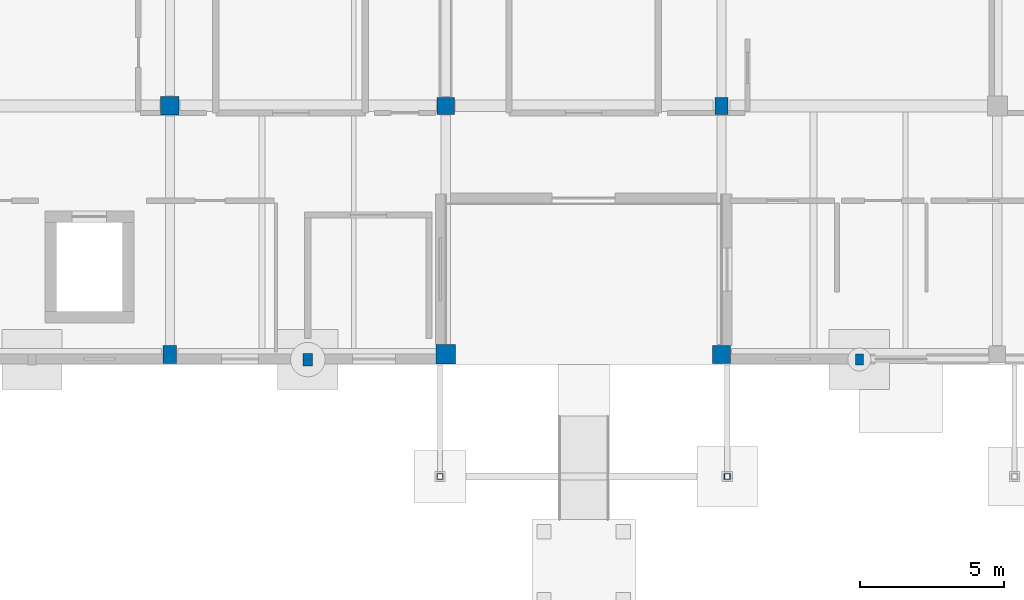
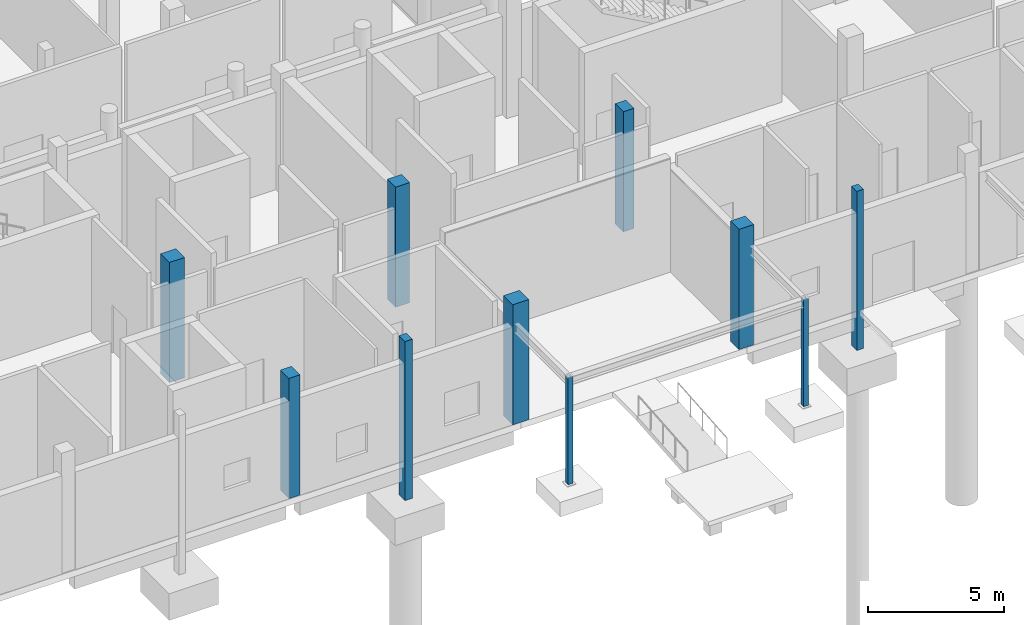
# One storey, part 7 of 88: 10 columns.
"""IFC4 building model written with IfcOpenShell, lengths in metres."""

from ifc_helpers import new_model, si_unit, direction, frame, origin, origin_2d, place, context, subcontext, project, spatial, rectangle, hollow_rectangle, extrude, material, material_profile, profile_set, type_object, element, save


model = new_model("IFC4")

# Units and contexts
model_context = context("Model", 3, precision=1e-05, world=origin(), true_north=direction((0.0, 1.0)))
body_context = subcontext(model_context, "Body", "Model", "MODEL_VIEW")
ifc_project = project(units=[si_unit("LENGTHUNIT", "METRE"), si_unit("AREAUNIT", "SQUARE_METRE"), si_unit("VOLUMEUNIT", "CUBIC_METRE"), si_unit("PLANEANGLEUNIT", "RADIAN"), si_unit("MASSUNIT", "GRAM", prefix="KILO")], contexts=[model_context])

# Site, building, storey
site_placement = place(None, origin())
site = spatial("IfcSite", under=ifc_project, at=site_placement, CompositionType="ELEMENT")
building_placement = place(site_placement, origin())
building = spatial("IfcBuilding", under=site, at=building_placement, Name="Birchvale Park Specialist Clinic", CompositionType="ELEMENT")
storey_placement = place(building_placement, origin())
storey = spatial("IfcBuildingStorey", under=building, at=storey_placement, Name="L00", CompositionType="ELEMENT", Elevation=0.0)

# Columns
ifc_material_1 = material(Name="Concrete C40/50", Category="concrete")
ifc_material_profile_1 = material_profile(ifc_material_1, rectangle(XDim=0.679931640625, YDim=0.679931640625, at=origin_2d()), Name="RC-680x680")
ifc_profile_set_1 = profile_set([ifc_material_profile_1], Name="Concrete C40/50")
column_type_1 = type_object("IfcColumnType", Name="COL-EXT-C01", PredefinedType="COLUMN", material=ifc_profile_set_1)
column_1_placement = place(storey_placement, frame((80.60009765625, 17.14990234375, 0.0), z_axis=(0.0, 0.0, 1.0), x_axis=(1.0, 0.0, 0.0)))
element("IfcColumn", 1, at=column_1_placement, inside=storey, type_object=column_type_1, Name="V4 L00 column 10", PredefinedType="COLUMN", context=body_context, shape_type="SweptSolid", body=[
    extrude(rectangle(XDim=0.679931640625, YDim=0.679931640625, at=origin_2d()), origin(), (0.0, 0.0, 1.0), 5.39990234375),
])
ifc_material_profile_2 = material_profile(ifc_material_1, rectangle(XDim=0.6298828125, YDim=0.6298828125, at=origin_2d()), Name="RC-630x630")
ifc_profile_set_2 = profile_set([ifc_material_profile_2], Name="Concrete C40/50")
column_type_2 = type_object("IfcColumnType", Name="COL-EXT-C02", PredefinedType="COLUMN", material=ifc_profile_set_2)
column_2_placement = place(storey_placement, frame((90.199951171875, 17.14990234375, 0.0), z_axis=(0.0, 0.0, 1.0), x_axis=(1.0, 0.0, 0.0)))
element("IfcColumn", 2, at=column_2_placement, inside=storey, type_object=column_type_2, Name="V4 L00 column 13", PredefinedType="COLUMN", context=body_context, shape_type="SweptSolid", body=[
    extrude(rectangle(XDim=0.6298828125, YDim=0.6298828125, at=origin_2d()), origin(), (0.0, 0.0, 1.0), 5.39990234375),
])
ifc_material_profile_3 = material_profile(ifc_material_1, rectangle(XDim=0.469970703125, YDim=0.6298828125, at=origin_2d()), Name="RC-470x630")
ifc_profile_set_3 = profile_set([ifc_material_profile_3], Name="Concrete C40/50")
column_type_3 = type_object("IfcColumnType", Name="COL-EXT-C09", PredefinedType="COLUMN", material=ifc_profile_set_3)
column_3_placement = place(storey_placement, frame((71.0, 17.14990234375, 0.0), z_axis=(0.0, 0.0, 1.0), x_axis=(1.0, 0.0, 0.0)))
element("IfcColumn", 3, at=column_3_placement, inside=storey, type_object=column_type_3, Name="V4 L00 column 7", PredefinedType="COLUMN", context=body_context, shape_type="SweptSolid", body=[
    extrude(rectangle(XDim=0.469970703125, YDim=0.6298828125, at=origin_2d()), origin(), (0.0, 0.0, 1.0), 5.39990234375),
])
ifc_material_profile_4 = material_profile(ifc_material_1, rectangle(XDim=0.64990234375, YDim=0.64990234375, at=origin_2d()), Name="RC-650x650")
ifc_profile_set_4 = profile_set([ifc_material_profile_4], Name="Concrete C40/50")
column_type_4 = type_object("IfcColumnType", Name="COL-INT-C02", PredefinedType="COLUMN", material=ifc_profile_set_4)
column_4_placement = place(storey_placement, frame((71.0, 25.800048828125, 0.0), z_axis=(0.0, 0.0, 1.0), x_axis=(1.0, 0.0, 0.0)))
element("IfcColumn", 4, at=column_4_placement, inside=storey, type_object=column_type_4, Name="V4 L00 column 8", PredefinedType="COLUMN", context=body_context, shape_type="SweptSolid", body=[
    extrude(rectangle(XDim=0.64990234375, YDim=0.64990234375, at=origin_2d()), origin(), (0.0, 0.0, 1.0), 5.39990234375),
])
ifc_material_profile_5 = material_profile(ifc_material_1, rectangle(XDim=0.60009765625, YDim=0.60009765625, at=origin_2d()), Name="RC-600x600")
ifc_profile_set_5 = profile_set([ifc_material_profile_5], Name="Concrete C40/50")
column_type_5 = type_object("IfcColumnType", Name="COL-INT-C03", PredefinedType="COLUMN", material=ifc_profile_set_5)
column_5_placement = place(storey_placement, frame((80.60009765625, 25.800048828125, 0.0), z_axis=(0.0, 0.0, 1.0), x_axis=(1.0, 0.0, 0.0)))
element("IfcColumn", 5, at=column_5_placement, inside=storey, type_object=column_type_5, Name="V4 L00 column 11", PredefinedType="COLUMN", context=body_context, shape_type="SweptSolid", body=[
    extrude(rectangle(XDim=0.60009765625, YDim=0.60009765625, at=origin_2d()), origin(), (0.0, 0.0, 1.0), 5.39990234375),
])
ifc_material_profile_6 = material_profile(ifc_material_1, rectangle(XDim=0.449951171875, YDim=0.60009765625, at=origin_2d()), Name="RC-450x600")
ifc_profile_set_6 = profile_set([ifc_material_profile_6], Name="Concrete C40/50")
column_type_6 = type_object("IfcColumnType", Name="COL-INT-C09", PredefinedType="COLUMN", material=ifc_profile_set_6)
column_6_placement = place(storey_placement, frame((90.199951171875, 25.800048828125, 0.0), z_axis=(0.0, 0.0, 1.0), x_axis=(1.0, 0.0, 0.0)))
element("IfcColumn", 6, at=column_6_placement, inside=storey, type_object=column_type_6, Name="V4 L00 column 14", PredefinedType="COLUMN", context=body_context, shape_type="SweptSolid", body=[
    extrude(rectangle(XDim=0.449951171875, YDim=0.60009765625, at=origin_2d()), origin(), (0.0, 0.0, 1.0), 5.39990234375),
])
ifc_material_2 = material(Name="Steel ASTM A500 Grade C", Category="steel")
ifc_material_profile_7 = material_profile(ifc_material_2, hollow_rectangle(XDim=0.199951171875, YDim=0.199951171875, WallThickness=0.010009765625, at=origin_2d()), Name="HSS200X200X10")
ifc_profile_set_7 = profile_set([ifc_material_profile_7], Name="Steel ASTM A500 Grade C")
column_type_7 = type_object("IfcColumnType", Name="COL-STL-SC3", PredefinedType="COLUMN", material=ifc_profile_set_7)
for number, where, z_axis, x_axis, name in (
    (7, (80.39990234375, 12.89990234375, -0.27197265625), (0.0, 0.0, 1.0), (1.0, 0.0, 0.0), "L00 entrance canopy column 1"),
    (8, (90.39990234375, 12.89990234375, -0.27197265625), (0.0, 0.0, 1.0), (1.0, 0.0, 0.0), "L00 entrance canopy column 2"),
):
    element("IfcColumn", number, at=place(storey_placement, frame(where, z_axis=z_axis, x_axis=x_axis)), inside=storey, type_object=column_type_7, Name=name, PredefinedType="COLUMN", context=body_context, shape_type="SweptSolid", body=[
        extrude(hollow_rectangle(XDim=0.199951171875, YDim=0.199951171875, WallThickness=0.010009765625, at=origin_2d()), origin(), (0.0, 0.0, 1.0), 4.800048828125),
    ])
ifc_material_profile_8 = material_profile(ifc_material_1, rectangle(XDim=0.320068359375, YDim=0.43994140625, at=origin_2d()), Name="PIL-320x440")
ifc_profile_set_8 = profile_set([ifc_material_profile_8], Name="Concrete C40/50")
column_type_8 = type_object("IfcColumnType", Name="PIL-PL1", PredefinedType="PILASTER", material=ifc_profile_set_8)
column_7_placement = place(storey_placement, frame((75.800048828125, 16.969970703125, -1.75), z_axis=(0.0, 0.0, 1.0), x_axis=(1.0, 0.0, 0.0)))
element("IfcColumn", 9, at=column_7_placement, inside=storey, type_object=column_type_8, Name="V4 L00 facade pilaster 8", PredefinedType="PILASTER", context=body_context, shape_type="SweptSolid", body=[
    extrude(rectangle(XDim=0.320068359375, YDim=0.43994140625, at=origin_2d()), origin(), (0.0, 0.0, 1.0), 7.14990234375),
])
ifc_material_profile_9 = material_profile(ifc_material_1, rectangle(XDim=0.280029296875, YDim=0.3798828125, at=origin_2d()), Name="PIL-280x380")
ifc_profile_set_9 = profile_set([ifc_material_profile_9], Name="Concrete C40/50")
column_type_9 = type_object("IfcColumnType", Name="PIL-PL2", PredefinedType="PILASTER", material=ifc_profile_set_9)
column_8_placement = place(storey_placement, frame((95.0, 16.969970703125, -1.75), z_axis=(0.0, 0.0, 1.0), x_axis=(1.0, 0.0, 0.0)))
element("IfcColumn", 10, at=column_8_placement, inside=storey, type_object=column_type_9, Name="V4 L00 facade pilaster 12", PredefinedType="PILASTER", context=body_context, shape_type="SweptSolid", body=[
    extrude(rectangle(XDim=0.280029296875, YDim=0.3798828125, at=origin_2d()), origin(), (0.0, 0.0, 1.0), 7.14990234375),
])

save(model, "model.ifc")
